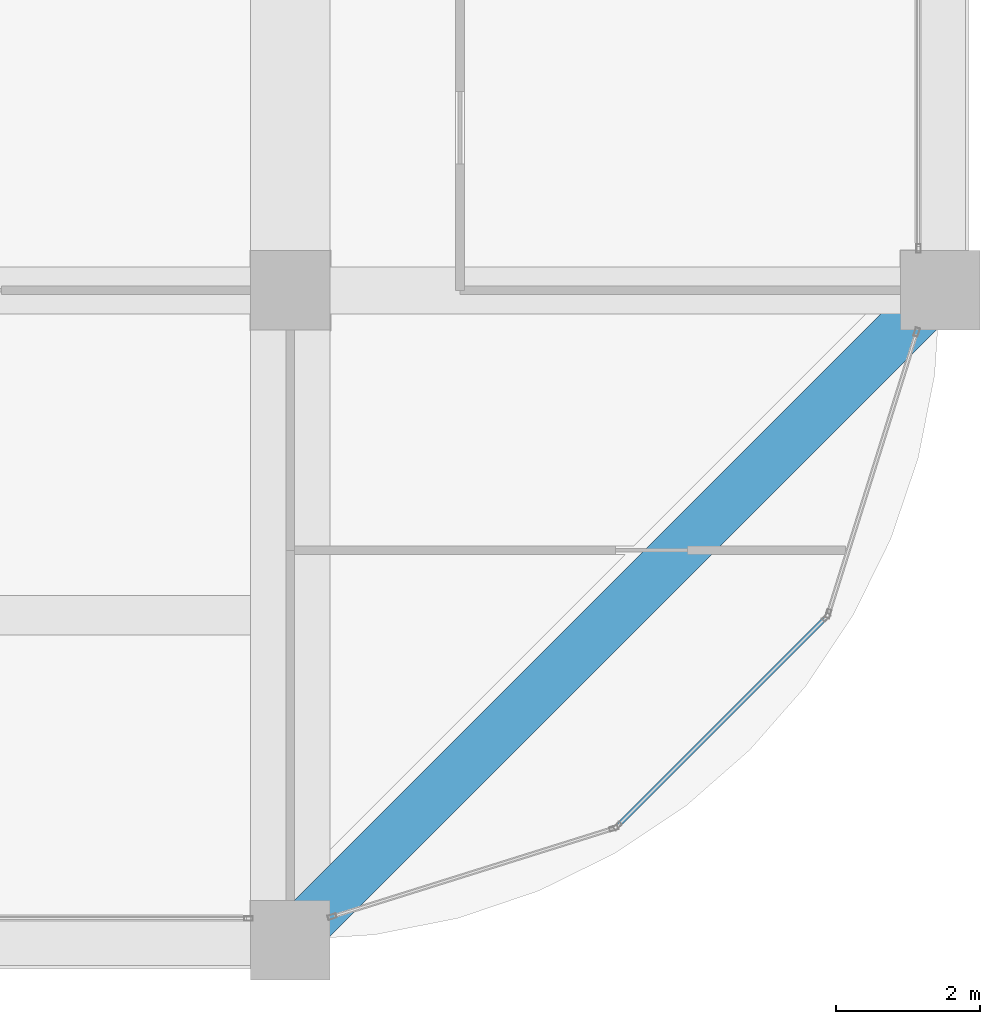
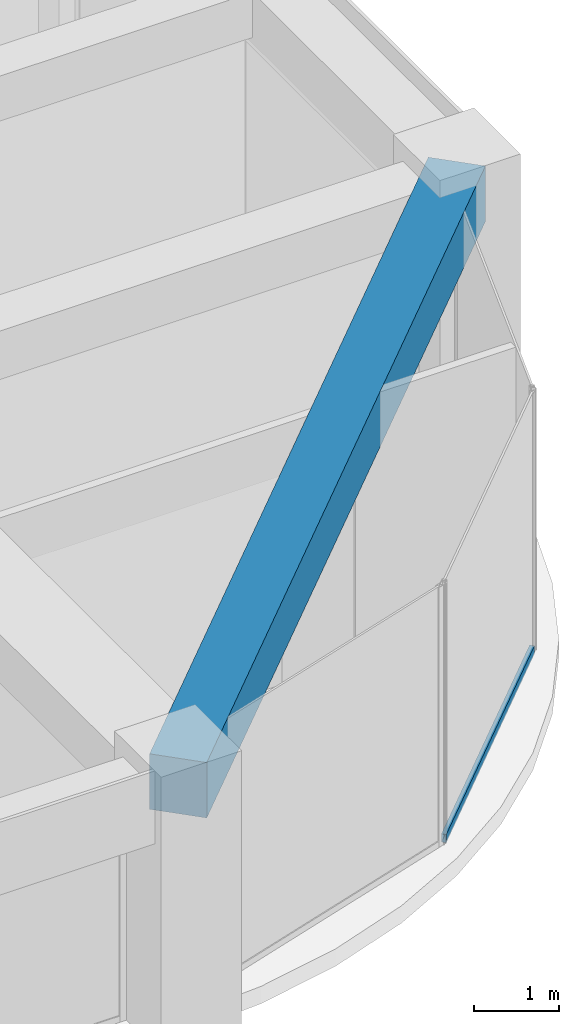
# One storey, part 19 of 45: 1 beam, 1 member, 1 element without a shape of its own.
"""IFC4 building model written with IfcOpenShell, lengths in metres."""

from ifc_helpers import new_model, si_unit, direction, frame, origin, origin_2d, place, context, subcontext, project, spatial, rectangle, hollow_rectangle, extrude, material, material_profile, profile_set, type_object, element, aggregate, save


model = new_model("IFC4")

# Units and contexts
model_context = context("Model", 3, precision=1e-05, world=origin(), true_north=direction((0.0, 1.0)))
body_context = subcontext(model_context, "Body", "Model", "MODEL_VIEW")
ifc_project = project(units=[si_unit("LENGTHUNIT", "METRE"), si_unit("AREAUNIT", "SQUARE_METRE"), si_unit("VOLUMEUNIT", "CUBIC_METRE"), si_unit("PLANEANGLEUNIT", "RADIAN"), si_unit("MASSUNIT", "GRAM", prefix="KILO")], contexts=[model_context])

# Site, building, storey
site_placement = place(None, origin())
site = spatial("IfcSite", under=ifc_project, at=site_placement, CompositionType="ELEMENT")
building_placement = place(site_placement, origin())
building = spatial("IfcBuilding", under=site, at=building_placement, Name="Zorevar Civic Tower", CompositionType="ELEMENT")
storey_placement = place(building_placement, frame((0.0, 0.0, 291.39990234375)))
storey = spatial("IfcBuildingStorey", under=building, at=storey_placement, Name="L71", CompositionType="ELEMENT", Elevation=291.39990234375)

# Curtain wall, member
ifc_material_1 = material(Name="Dark grey solar-control glass in black aluminium frame", Category="aluminium")
curtain_wall_type = type_object("IfcCurtainWallType", Name="Curtain wall CW5 top zone", PredefinedType="NOTDEFINED", material=ifc_material_1)
curtain_wall_placement = place(storey_placement, origin())
curtain_wall = element("IfcCurtainWall", 1, at=curtain_wall_placement, inside=storey, type_object=curtain_wall_type, Name="CW5 L71", PredefinedType="NOTDEFINED")
ifc_material_2 = material(Name="Aluminium, black anodised", Category="aluminium")
ifc_material_profile_1 = material_profile(ifc_material_2, hollow_rectangle(XDim=0.06005859375, YDim=0.1201171875, WallThickness=0.0029296875, at=origin_2d()), Name="AL 120x60x3")
ifc_profile_set_1 = profile_set([ifc_material_profile_1], Name="Aluminium, black anodised")
member_type = type_object("IfcMemberType", Name="CW5 transom AL 120x60x3", PredefinedType="USERDEFINED", material=ifc_profile_set_1)
member_placement = place(storey_placement, frame((49.55029296875, 1.6015625, 0.030029296875), z_axis=(0.707106781187, 0.707106781187, 0.0), x_axis=(-0.707106781187, 0.707106781187, 0.0)))
member = element("IfcMember", 2, at=member_placement, type_object=member_type, Name="CW5 sill transom", ObjectType="TRANSOM", PredefinedType="USERDEFINED", context=body_context, shape_type="SweptSolid", body=[
    extrude(hollow_rectangle(XDim=0.06005859375, YDim=0.1201171875, WallThickness=0.0029296875, at=origin_2d()), origin(), (0.0, 0.0, 1.0), 4.02783203125),
])
aggregate(curtain_wall, [member])

# Beam
ifc_material_3 = material(Name="Concrete C50/60", Category="concrete")
ifc_material_profile_2 = material_profile(ifc_material_3, rectangle(XDim=0.699951171875, YDim=0.800048828125, at=origin_2d()), Name="RC 700x800")
ifc_profile_set_2 = profile_set([ifc_material_profile_2], Name="Concrete C50/60")
beam_type = type_object("IfcBeamType", Name="Edge beam RC 700x800", PredefinedType="SPANDREL", material=ifc_profile_set_2)
beam_placement = place(storey_placement, frame((45.0, 0.0, 3.35009765625), z_axis=(0.707106781187, 0.707106781187, 0.0), x_axis=(-0.707106781187, 0.707106781187, 0.0)))
element("IfcBeam", 3, at=beam_placement, inside=storey, type_object=beam_type, Name="Corner edge beam L72", PredefinedType="SPANDREL", context=body_context, shape_type="SweptSolid", body=[
    extrude(rectangle(XDim=0.699951171875, YDim=0.800048828125, at=origin_2d()), origin(), (0.0, 0.0, 1.0), 12.72802734375),
])

save(model, "model.ifc")
